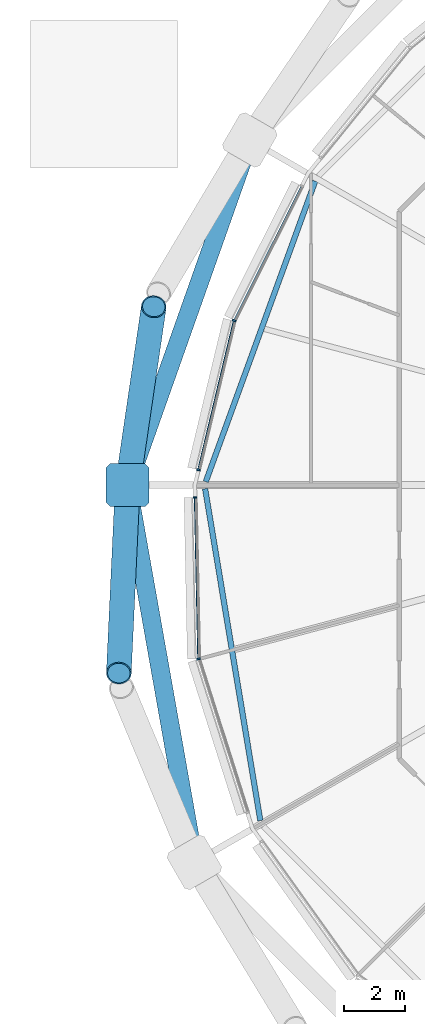
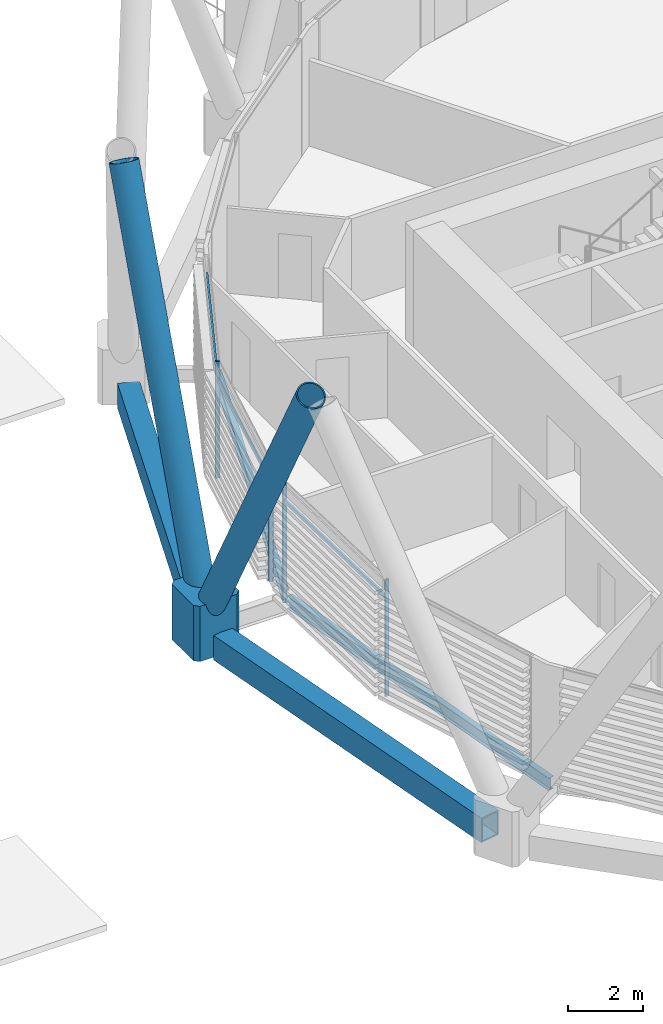
# One storey, part 9 of 34: 10 members, 4 beams, 1 element without a shape of its own.
"""IFC4 building model written with IfcOpenShell, lengths in metres."""

from ifc_helpers import new_model, si_unit, direction, frame, origin, origin_2d, place, context, subcontext, project, spatial, polyline, rectangle, hollow_rectangle, hollow_circle, i_section, outline, extrude, material, material_profile, profile_set, type_object, element, aggregate, save


model = new_model("IFC4")

# Units and contexts
model_context = context("Model", 3, precision=1e-05, world=origin(), true_north=direction((0.0, 1.0)))
body_context = subcontext(model_context, "Body", "Model", "MODEL_VIEW")
ifc_project = project(units=[si_unit("LENGTHUNIT", "METRE"), si_unit("AREAUNIT", "SQUARE_METRE"), si_unit("VOLUMEUNIT", "CUBIC_METRE"), si_unit("PLANEANGLEUNIT", "RADIAN"), si_unit("MASSUNIT", "GRAM", prefix="KILO")], contexts=[model_context])

# Site, building, storey
site_placement = place(None, origin())
site = spatial("IfcSite", under=ifc_project, at=site_placement, CompositionType="ELEMENT")
building_placement = place(site_placement, origin())
building = spatial("IfcBuilding", under=site, at=building_placement, Name="Rimbun Link Towers", CompositionType="ELEMENT")
storey_placement = place(building_placement, frame((0.0, 0.0, 41.39990234375)))
storey = spatial("IfcBuildingStorey", under=building, at=storey_placement, Name="L09", CompositionType="ELEMENT", Elevation=41.39990234375)

# Curtain wall, members
ifc_material_1 = material(Name="Aluminium 6063-T6 and low-iron glass", Category="aluminium")
curtain_wall_type = type_object("IfcCurtainWallType", Name="CW1 unitised vision wall", PredefinedType="NOTDEFINED", material=ifc_material_1)
curtain_wall_placement = place(storey_placement, origin())
curtain_wall = element("IfcCurtainWall", 1, at=curtain_wall_placement, inside=storey, type_object=curtain_wall_type, Name="CW1 L09 T2", PredefinedType="NOTDEFINED")
ifc_material_2 = material(Name="Aluminium 6063-T6", Category="aluminium")
ifc_material_profile_1 = material_profile(ifc_material_2, rectangle(XDim=0.1201171875, YDim=0.06005859375, at=origin_2d()), Name="MULLION 60X120")
ifc_profile_set_1 = profile_set([ifc_material_profile_1], Name="Aluminium 6063-T6")
member_type_1 = type_object("IfcMemberType", Name="CW1 mullion 60X120", PredefinedType="MULLION", material=ifc_profile_set_1)
member_1_placement = place(storey_placement, frame((11.740478515625, 5.366943359375, 0.0), z_axis=(0.0, 0.0, 1.0), x_axis=(-0.939347883555, 0.342965819961, 0.0)))
member_1 = element("IfcMember", 2, at=member_1_placement, type_object=member_type_1, Name="CW1 mullion", PredefinedType="MULLION", context=body_context, shape_type="SweptSolid", body=[
    extrude(rectangle(XDim=0.1201171875, YDim=0.06005859375, at=origin_2d()), origin(), (0.0, 0.0, 1.0), 3.800048828125),
])
member_2_placement = place(storey_placement, frame((10.576171875, 0.500244140625, 0.0), z_axis=(0.0, 0.0, 1.0), x_axis=(-0.972570124746, 0.232609871785, 0.0)))
member_2 = element("IfcMember", 3, at=member_2_placement, type_object=member_type_1, Name="CW1 mullion", PredefinedType="MULLION", context=body_context, shape_type="SweptSolid", body=[
    extrude(rectangle(XDim=0.1201171875, YDim=0.06005859375, at=origin_2d()), origin(), (0.0, 0.0, 1.0), 3.800048828125),
])
member_3_placement = place(storey_placement, frame((10.578125, -5.6669921875, 0.0), z_axis=(0.0, 0.0, 1.0), x_axis=(-0.986501879703, -0.163749935396, 0.0)))
member_3 = element("IfcMember", 4, at=member_3_placement, type_object=member_type_1, Name="CW1 mullion", PredefinedType="MULLION", context=body_context, shape_type="SweptSolid", body=[
    extrude(rectangle(XDim=0.1201171875, YDim=0.06005859375, at=origin_2d()), origin(), (0.0, 0.0, 1.0), 3.800048828125),
])
member_4_placement = place(storey_placement, frame((10.466552734375, -0.401123046875, 0.0), z_axis=(0.0, 0.0, 1.0), x_axis=(-0.999778083181, -0.021066190713, 0.0)))
member_4 = element("IfcMember", 5, at=member_4_placement, type_object=member_type_1, Name="CW1 mullion", PredefinedType="MULLION", context=body_context, shape_type="SweptSolid", body=[
    extrude(rectangle(XDim=0.1201171875, YDim=0.06005859375, at=origin_2d()), origin(), (0.0, 0.0, 1.0), 3.800048828125),
])
ifc_material_3 = material(Name="Aluminium 6063-T6", Category="aluminium")
ifc_material_profile_2 = material_profile(ifc_material_3, rectangle(XDim=0.06005859375, YDim=0.1201171875, at=origin_2d()), Name="TRANSOM 60X120")
ifc_profile_set_2 = profile_set([ifc_material_profile_2], Name="Aluminium 6063-T6")
member_type_2 = type_object("IfcMemberType", Name="CW1 transom 60X120", PredefinedType="USERDEFINED", material=ifc_profile_set_2)
member_5_placement = place(storey_placement, frame((11.758544921875, 5.399169921875, 3.2001953125), z_axis=(0.448724492351, 0.893670146063, 0.0), x_axis=(-0.893670146063, 0.448724492351, 0.0)))
member_5 = element("IfcMember", 6, at=member_5_placement, type_object=member_type_2, Name="CW1 transom", ObjectType="TRANSOM", PredefinedType="USERDEFINED", context=body_context, shape_type="SweptSolid", body=[
    extrude(rectangle(XDim=0.06005859375, YDim=0.1201171875, at=origin_2d()), origin(), (0.0, 0.0, 1.0), 4.845458984375),
])
member_6_placement = place(storey_placement, frame((10.5849609375, 0.529052734375, 3.2001953125), z_axis=(0.232609819293, 0.9725701373, 0.0), x_axis=(-0.9725701373, 0.232609819293, 0.0)))
member_6 = element("IfcMember", 7, at=member_6_placement, type_object=member_type_2, Name="CW1 transom", ObjectType="TRANSOM", PredefinedType="USERDEFINED", context=body_context, shape_type="SweptSolid", body=[
    extrude(rectangle(XDim=0.06005859375, YDim=0.1201171875, at=origin_2d()), origin(), (0.0, 0.0, 1.0), 4.937255859375),
])
member_7_placement = place(storey_placement, frame((10.57861328125, -5.62841796875, 3.2001953125), z_axis=(-0.021040061432, 0.999778633406, 0.0), x_axis=(-0.999778633406, -0.021040061432, 0.0)))
member_7 = element("IfcMember", 8, at=member_7_placement, type_object=member_type_2, Name="CW1 transom", ObjectType="TRANSOM", PredefinedType="USERDEFINED", context=body_context, shape_type="SweptSolid", body=[
    extrude(rectangle(XDim=0.06005859375, YDim=0.1201171875, at=origin_2d()), origin(), (0.0, 0.0, 1.0), 5.198486328125),
])
aggregate(curtain_wall, [member_1, member_2, member_3, member_4, member_5, member_6, member_7])

# Members
ifc_material_4 = material(Name="Steel S460NH", Category="steel")
ifc_material_profile_3 = material_profile(ifc_material_4, hollow_circle(Radius=0.406494140625, WallThickness=0.0400390625, at=origin_2d()), Name="Diagrid diagonal CHS 813x40")
ifc_profile_set_3 = profile_set([ifc_material_profile_3], Name="Steel S460NH")
member_type_3 = type_object("IfcMemberType", Name="Diagrid diagonal CHS 813x40", PredefinedType="BRACE", material=ifc_profile_set_3)
member_8_placement = place(storey_placement, frame((8.302490234375, 0.23388671875, 0.440673828125), z_axis=(0.06854907419, 0.467941502271, 0.881096915714), x_axis=(-0.989439898994, 0.144943734876, 0.0)))
element("IfcMember", 9, at=member_8_placement, inside=storey, type_object=member_type_3, Name="Diagrid diagonal T2 L09-L12 09a", PredefinedType="BRACE", context=body_context, shape_type="SweptSolid", body=[
    extrude(hollow_circle(Radius=0.406494140625, WallThickness=0.0400390625, at=origin_2d()), origin(), (0.0, 0.0, 1.0), 11.938232421875),
])
member_9_placement = place(storey_placement, frame((8.256591796875, -0.243896484375, 0.436279296875), z_axis=(-0.022929121202, -0.487785179461, 0.872662520164), x_axis=(0.998897017477, -0.046954749235, 0.0)))
element("IfcMember", 10, at=member_9_placement, inside=storey, type_object=member_type_3, Name="Diagrid diagonal T2 L09-L12 09b", PredefinedType="BRACE", context=body_context, shape_type="SweptSolid", body=[
    extrude(hollow_circle(Radius=0.406494140625, WallThickness=0.0400390625, at=origin_2d()), origin(), (0.0, 0.0, 1.0), 12.063720703125),
])
ifc_material_5 = material(Name="Cast steel G20Mn5+QT, Rp0.2 300 MPa", Category="steel")
ifc_material_profile_4 = material_profile(ifc_material_5, outline(polyline([(0.699951171875, -0.570068359375), (0.699951171875, 0.570068359375), (0.570068359375, 0.699951171875), (-0.570068359375, 0.699951171875), (-0.699951171875, 0.570068359375), (-0.699951171875, -0.570068359375), (-0.570068359375, -0.699951171875), (0.570068359375, -0.699951171875), (0.699951171875, -0.570068359375)])), Name="NODE 1400x1400")
ifc_profile_set_4 = profile_set([ifc_material_profile_4], Name="Cast steel G20Mn5+QT, Rp0.2 300 MPa")
member_type_4 = type_object("IfcMemberType", Name="Diagrid node cast 1400", PredefinedType="USERDEFINED", material=ifc_profile_set_4)
member_10_placement = place(storey_placement, frame((8.26806640625, 0.0, -0.89990234375), z_axis=(0.0, 0.0, 1.0), x_axis=(-1.0, 0.0, 0.0)))
element("IfcMember", 11, at=member_10_placement, inside=storey, type_object=member_type_4, Name="Diagrid node L09 09", ObjectType="Diagrid node", PredefinedType="USERDEFINED", context=body_context, shape_type="SweptSolid", body=[
    extrude(outline(polyline([(0.699951171875, -0.570068359375), (0.699951171875, 0.570068359375), (0.570068359375, 0.699951171875), (-0.570068359375, 0.699951171875), (-0.699951171875, 0.570068359375), (-0.699951171875, -0.570068359375), (-0.570068359375, -0.699951171875), (0.570068359375, -0.699951171875), (0.699951171875, -0.570068359375)])), origin(), (0.0, 0.0, 1.0), 1.800048828125),
])

# Beams
ifc_material_6 = material(Name="Steel S355J2", Category="steel")
ifc_material_profile_5 = material_profile(ifc_material_6, hollow_rectangle(XDim=0.60009765625, YDim=0.800048828125, WallThickness=0.0400390625, at=origin_2d()), Name="Exoskeleton ring girder BOX 600x800x40")
ifc_profile_set_5 = profile_set([ifc_material_profile_5], Name="Steel S355J2")
beam_type_1 = type_object("IfcBeamType", Name="Exoskeleton ring girder BOX 600x800x40", PredefinedType="BEAM", material=ifc_profile_set_5)
beam_1_placement = place(storey_placement, frame((12.018310546875, 10.597412109375, -0.559814453125), z_axis=(-0.333600183437, -0.942714653334, 0.0), x_axis=(0.942714653334, -0.333600183437, 0.0)))
element("IfcBeam", 12, at=beam_1_placement, inside=storey, type_object=beam_type_1, Name="Exoskeleton ring girder L09 03", PredefinedType="BEAM", context=body_context, shape_type="SweptSolid", body=[
    extrude(hollow_rectangle(XDim=0.60009765625, YDim=0.800048828125, WallThickness=0.0400390625, at=origin_2d()), origin(), (0.0, 0.0, 1.0), 10.541259765625),
])
beam_2_placement = place(storey_placement, frame((8.389892578125, -0.689208984375, -0.559814453125), z_axis=(0.174188371095, -0.98471234956, 0.0), x_axis=(0.98471234956, 0.174188371095, 0.0)))
element("IfcBeam", 13, at=beam_2_placement, inside=storey, type_object=beam_type_1, Name="Exoskeleton ring girder L09 04", PredefinedType="BEAM", context=body_context, shape_type="SweptSolid", body=[
    extrude(hollow_rectangle(XDim=0.60009765625, YDim=0.800048828125, WallThickness=0.0400390625, at=origin_2d()), origin(), (0.0, 0.0, 1.0), 11.09228515625),
])
ifc_material_7 = material(Name="Steel S355J2", Category="steel")
ifc_material_profile_6 = material_profile(ifc_material_7, i_section(OverallWidth=0.177978515625, OverallDepth=0.406494140625, WebThickness=0.0078125, FlangeThickness=0.0126953125, at=origin_2d()), Name="UB 406x178x60")
ifc_profile_set_6 = profile_set([ifc_material_profile_6], Name="Steel S355J2")
beam_type_2 = type_object("IfcBeamType", Name="UB 406x178x60", PredefinedType="BEAM", material=ifc_profile_set_6)
beam_3_placement = place(storey_placement, frame((14.385986328125, 9.914306640625, -0.363037109375), z_axis=(-0.342218549994, -0.939620382942, 0.0), x_axis=(0.939620382942, -0.342218549994, 0.0)))
element("IfcBeam", 14, at=beam_3_placement, inside=storey, type_object=beam_type_2, Name="Edge beam T2 L09 07-09", PredefinedType="BEAM", context=body_context, shape_type="SweptSolid", body=[
    extrude(i_section(OverallWidth=0.177978515625, OverallDepth=0.406494140625, WebThickness=0.0078125, FlangeThickness=0.0126953125, at=origin_2d()), origin(), (0.0, 0.0, 1.0), 10.42919921875),
])
beam_4_placement = place(storey_placement, frame((10.794189453125, -0.11474609375, -0.363037109375), z_axis=(0.164204120898, -0.986426381784, 0.0), x_axis=(0.986426381784, 0.164204120898, 0.0)))
element("IfcBeam", 15, at=beam_4_placement, inside=storey, type_object=beam_type_2, Name="Edge beam T2 L09 09-11", PredefinedType="BEAM", context=body_context, shape_type="SweptSolid", body=[
    extrude(i_section(OverallWidth=0.177978515625, OverallDepth=0.406494140625, WebThickness=0.0078125, FlangeThickness=0.0126953125, at=origin_2d()), origin(), (0.0, 0.0, 1.0), 10.97119140625),
])

save(model, "model.ifc")
